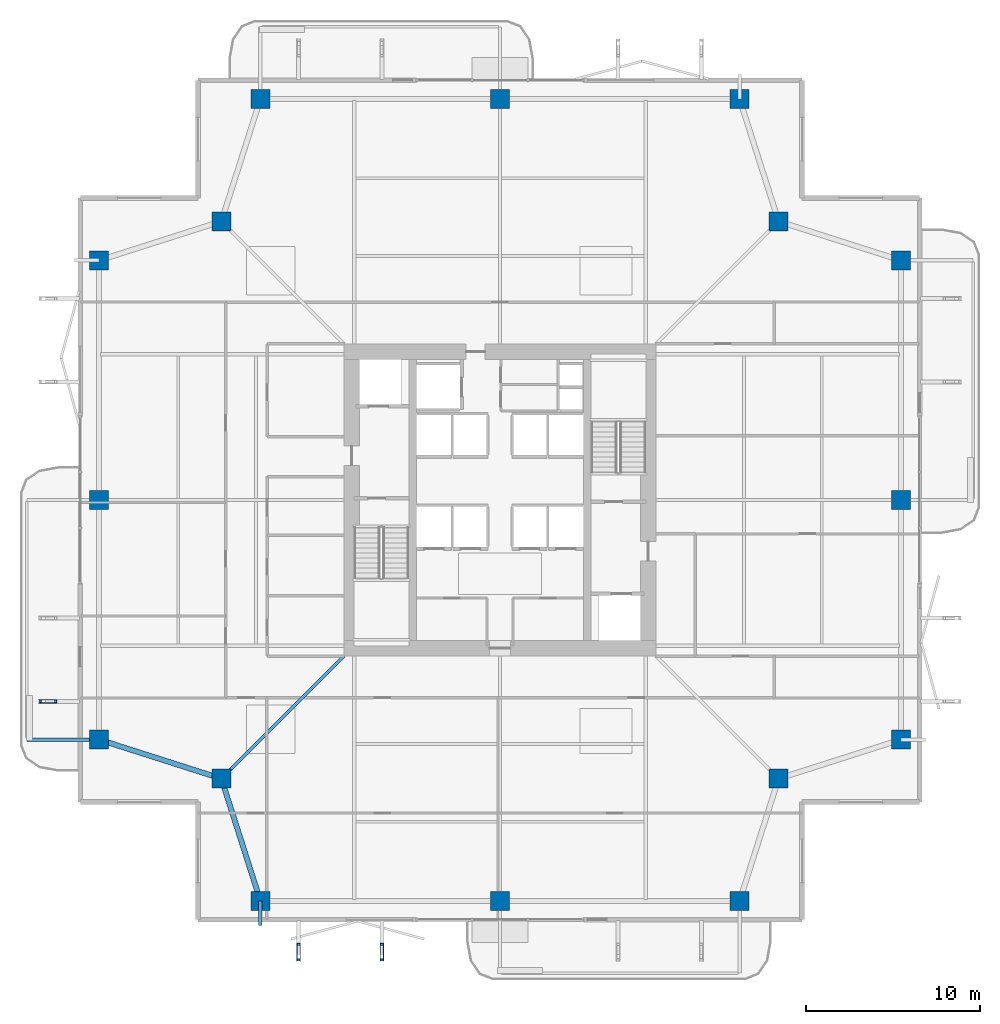
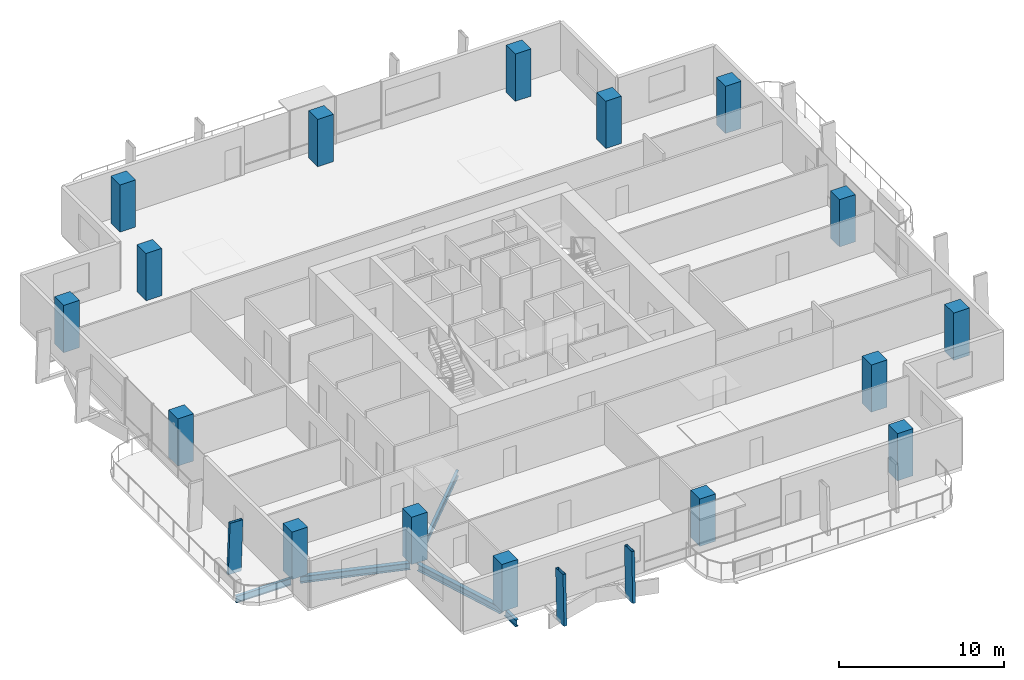
# One storey, part 1 of 25: 16 columns, 5 beams, 3 members.
"""IFC4 building model written with IfcOpenShell, lengths in metres."""

from ifc_helpers import new_model, si_unit, direction, frame, origin, origin_2d, place, context, subcontext, project, spatial, rectangle, hollow_rectangle, i_section, extrude, material, material_profile, profile_set, type_object, element, save


model = new_model("IFC4")

# Units and contexts
model_context = context("Model", 3, precision=1e-05, world=origin(), true_north=direction((0.0, 1.0)))
body_context = subcontext(model_context, "Body", "Model", "MODEL_VIEW")
ifc_project = project(units=[si_unit("LENGTHUNIT", "METRE"), si_unit("AREAUNIT", "SQUARE_METRE"), si_unit("VOLUMEUNIT", "CUBIC_METRE"), si_unit("PLANEANGLEUNIT", "RADIAN"), si_unit("MASSUNIT", "GRAM", prefix="KILO")], contexts=[model_context])

# Site, building, storey
site_placement = place(None, origin())
site = spatial("IfcSite", under=ifc_project, at=site_placement, CompositionType="ELEMENT")
building_placement = place(site_placement, origin())
building = spatial("IfcBuilding", under=site, at=building_placement, Name="Belovzor Exchange Tower", CompositionType="ELEMENT")
storey_placement = place(building_placement, frame((0.0, 0.0, 142.050048828125)))
storey = spatial("IfcBuildingStorey", under=building, at=storey_placement, Name="L34", CompositionType="ELEMENT", Elevation=142.050048828125)

# Columns
ifc_material_1 = material(Name="Concrete C50/60", Category="concrete")
ifc_material_profile_1 = material_profile(ifc_material_1, rectangle(XDim=1.10009765625, YDim=1.10009765625, at=origin_2d()))
ifc_profile_set_1 = profile_set([ifc_material_profile_1], Name="Concrete C50/60")
column_type = type_object("IfcColumnType", Name="Reinforced Concrete Tower Column 1100x1100", PredefinedType="COLUMN", material=ifc_profile_set_1)
for number, where, z_axis, x_axis, name in (
    (1, (15.0, 5.699951171875, 0.0029296875), (0.0, 0.0, 1.0), (1.0, 0.0, 0.0), "COL-T110 Reinforced Concrete Tower Column 1100x1100"),
    (2, (28.800048828125, 5.699951171875, 0.0029296875), (0.0, 0.0, 1.0), (1.0, 0.0, 0.0), "COL-T110 Reinforced Concrete Tower Column 1100x1100"),
    (3, (42.60009765625, 5.699951171875, 0.0029296875), (0.0, 0.0, 1.0), (1.0, 0.0, 0.0), "COL-T110 Reinforced Concrete Tower Column 1100x1100"),
    (4, (51.89990234375, 15.0, 0.0029296875), (0.0, 0.0, 1.0), (1.0, 0.0, 0.0), "COL-T110 Reinforced Concrete Tower Column 1100x1100"),
    (5, (51.89990234375, 28.800048828125, 0.0029296875), (0.0, 0.0, 1.0), (1.0, 0.0, 0.0), "COL-T110 Reinforced Concrete Tower Column 1100x1100"),
    (6, (51.89990234375, 42.60009765625, 0.0029296875), (0.0, 0.0, 1.0), (1.0, 0.0, 0.0), "COL-T110 Reinforced Concrete Tower Column 1100x1100"),
    (7, (42.60009765625, 51.89990234375, 0.0029296875), (0.0, 0.0, 1.0), (1.0, 0.0, 0.0), "COL-T110 Reinforced Concrete Tower Column 1100x1100"),
    (8, (28.800048828125, 51.89990234375, 0.0029296875), (0.0, 0.0, 1.0), (1.0, 0.0, 0.0), "COL-T110 Reinforced Concrete Tower Column 1100x1100"),
    (9, (15.0, 51.89990234375, 0.0029296875), (0.0, 0.0, 1.0), (1.0, 0.0, 0.0), "COL-T110 Reinforced Concrete Tower Column 1100x1100"),
    (10, (5.699951171875, 42.60009765625, 0.0029296875), (0.0, 0.0, 1.0), (1.0, 0.0, 0.0), "COL-T110 Reinforced Concrete Tower Column 1100x1100"),
    (11, (5.699951171875, 28.800048828125, 0.0029296875), (0.0, 0.0, 1.0), (1.0, 0.0, 0.0), "COL-T110 Reinforced Concrete Tower Column 1100x1100"),
    (12, (5.699951171875, 15.0, 0.0029296875), (0.0, 0.0, 1.0), (1.0, 0.0, 0.0), "COL-T110 Reinforced Concrete Tower Column 1100x1100"),
    (13, (12.75, 12.75, 0.0029296875), (0.0, 0.0, 1.0), (1.0, 0.0, 0.0), "COL-T110 Reinforced Concrete Tower Column 1100x1100"),
    (14, (44.85009765625, 12.75, 0.0029296875), (0.0, 0.0, 1.0), (1.0, 0.0, 0.0), "COL-T110 Reinforced Concrete Tower Column 1100x1100"),
    (15, (44.85009765625, 44.85009765625, 0.0029296875), (0.0, 0.0, 1.0), (1.0, 0.0, 0.0), "COL-T110 Reinforced Concrete Tower Column 1100x1100"),
    (16, (12.75, 44.85009765625, 0.0029296875), (0.0, 0.0, 1.0), (1.0, 0.0, 0.0), "COL-T110 Reinforced Concrete Tower Column 1100x1100"),
):
    element("IfcColumn", number, at=place(storey_placement, frame(where, z_axis=z_axis, x_axis=x_axis)), inside=storey, type_object=column_type, Name=name, PredefinedType="COLUMN", context=body_context, shape_type="SweptSolid", body=[
        extrude(rectangle(XDim=1.10009765625, YDim=1.10009765625, at=origin_2d()), origin(), (0.0, 0.0, 1.0), 3.489013671875),
    ])

# Beams
ifc_material_2 = material(Name="Steel S355", Category="steel")
ifc_material_profile_2 = material_profile(ifc_material_2, i_section(OverallWidth=0.199951171875, OverallDepth=0.5, WebThickness=0.01025390625, FlangeThickness=0.01611328125, at=origin_2d()))
ifc_profile_set_2 = profile_set([ifc_material_profile_2], Name="Steel S355")
beam_type_1 = type_object("IfcBeamType", Name="Planted Balcony Cantilever Beam IPE 500", PredefinedType="BEAM", material=ifc_profile_set_2)
beam_1_placement = place(storey_placement, frame((5.39697265625, 15.0, -0.505126953125), z_axis=(-1.0, 0.0, 0.0), x_axis=(0.0, -1.0, 0.0)))
element("IfcBeam", 17, at=beam_1_placement, inside=storey, type_object=beam_type_1, Name="BC-500 Planted Balcony Cantilever Beam IPE 500", PredefinedType="BEAM", context=body_context, shape_type="SweptSolid", body=[
    extrude(i_section(OverallWidth=0.199951171875, OverallDepth=0.5, WebThickness=0.01025390625, FlangeThickness=0.01611328125, at=origin_2d()), origin(), (0.0, 0.0, 1.0), 3.849853515625),
])
beam_2_placement = place(storey_placement, frame((15.0, 5.699951171875, -0.505126953125), z_axis=(0.0, -1.0, 0.0), x_axis=(1.0, 0.0, 0.0)))
element("IfcBeam", 18, at=beam_2_placement, inside=storey, type_object=beam_type_1, Name="BC-500 Planted Balcony Cantilever Beam IPE 500", PredefinedType="BEAM", context=body_context, shape_type="SweptSolid", body=[
    extrude(i_section(OverallWidth=0.199951171875, OverallDepth=0.5, WebThickness=0.01025390625, FlangeThickness=0.01611328125, at=origin_2d()), origin(), (0.0, 0.0, 1.0), 1.39990234375),
])

# Members
ifc_material_3 = material(Name="Extruded Architectural Terracotta on Steel S355 Carrier", Category="masonry")
ifc_material_profile_3 = material_profile(ifc_material_3, hollow_rectangle(XDim=0.199951171875, YDim=0.89990234375, WallThickness=0.011962890625, at=origin_2d()))
ifc_profile_set_3 = profile_set([ifc_material_profile_3], Name="Extruded Architectural Terracotta on Steel S355 Carrier")
member_type = type_object("IfcMemberType", Name="Sweeping Terracotta Baguette Fin Assembly 1250", PredefinedType="USERDEFINED", material=ifc_profile_set_3)
for number, where, z_axis, x_axis, name in (
    (19, (17.199951171875, 2.693115234375, -0.255126953125), (0.0, 0.032989845915, 0.999455686895), (-1.0, 0.0, 0.0), "FIN-TC125 Terracotta Facade Fin L34 S1"),
    (20, (2.693115234375, 17.199951171875, -0.255126953125), (0.032989845915, 0.0, 0.999455686895), (0.0, 1.0, 0.0), "FIN-TC125 Terracotta Facade Fin L34 W1"),
    (21, (22.0, 2.693115234375, -0.255126953125), (0.0, 0.032989845915, 0.999455686895), (-1.0, 0.0, 0.0), "FIN-TC125 Terracotta Facade Fin L34 S2"),
):
    element("IfcMember", number, at=place(storey_placement, frame(where, z_axis=z_axis, x_axis=x_axis)), inside=storey, type_object=member_type, Name=name, ObjectType="FIN", PredefinedType="USERDEFINED", context=body_context, shape_type="SweptSolid", body=[
        extrude(hollow_rectangle(XDim=0.199951171875, YDim=0.89990234375, WallThickness=0.011962890625, at=origin_2d()), origin(), (0.0, 0.0, 1.0), 3.751953125),
    ])

# Beams
ifc_material_4 = material(Name="Steel S355", Category="steel")
ifc_material_profile_4 = material_profile(ifc_material_4, i_section(OverallWidth=0.18994140625, OverallDepth=0.449951171875, WebThickness=0.009521484375, FlangeThickness=0.0146484375, at=origin_2d()))
ifc_profile_set_4 = profile_set([ifc_material_profile_4], Name="Steel S355")
beam_type_2 = type_object("IfcBeamType", Name="Zone 2-4 Radial Composite Floor Beam IPE 450", PredefinedType="BEAM", material=ifc_profile_set_4)
beam_3_placement = place(storey_placement, frame((19.800048828125, 19.800048828125, -0.47998046875), z_axis=(-0.707106781187, -0.707106781187, 0.0), x_axis=(0.707106781187, -0.707106781187, 0.0)))
element("IfcBeam", 22, at=beam_3_placement, inside=storey, type_object=beam_type_2, Name="FB-450 Zone 2-4 Radial Composite Floor Beam IPE 450", PredefinedType="BEAM", context=body_context, shape_type="SweptSolid", body=[
    extrude(i_section(OverallWidth=0.18994140625, OverallDepth=0.449951171875, WebThickness=0.009521484375, FlangeThickness=0.0146484375, at=origin_2d()), origin(), (0.0, 0.0, 1.0), 9.58154296875),
])
ifc_material_5 = material(Name="Steel S355", Category="steel")
ifc_material_profile_5 = material_profile(ifc_material_5, i_section(OverallWidth=0.300048828125, OverallDepth=0.5, WebThickness=0.014404296875, FlangeThickness=0.028076171875, at=origin_2d()))
ifc_profile_set_5 = profile_set([ifc_material_profile_5], Name="Steel S355")
beam_type_3 = type_object("IfcBeamType", Name="Zone 3 Waist Primary Girder HEB 500", PredefinedType="BEAM", material=ifc_profile_set_5)
for number, where, z_axis, x_axis, name in (
    (23, (12.842041015625, 12.4619140625, -0.505126953125), (0.304011730457, -0.952668288411, 0.0), (0.952668288411, 0.304011730457, 0.0), "FG-Z3 Zone 3 Waist Primary Girder HEB 500"),
    (24, (5.988037109375, 14.907958984375, -0.505126953125), (0.952668288411, -0.304011730457, 0.0), (0.304011730457, 0.952668288411, 0.0), "FG-Z3 Zone 3 Waist Primary Girder HEB 500"),
):
    element("IfcBeam", number, at=place(storey_placement, frame(where, z_axis=z_axis, x_axis=x_axis)), inside=storey, type_object=beam_type_3, Name=name, PredefinedType="BEAM", context=body_context, shape_type="SweptSolid", body=[
        extrude(i_section(OverallWidth=0.300048828125, OverallDepth=0.5, WebThickness=0.014404296875, FlangeThickness=0.028076171875, at=origin_2d()), origin(), (0.0, 0.0, 1.0), 6.79541015625),
    ])

save(model, "model.ifc")
